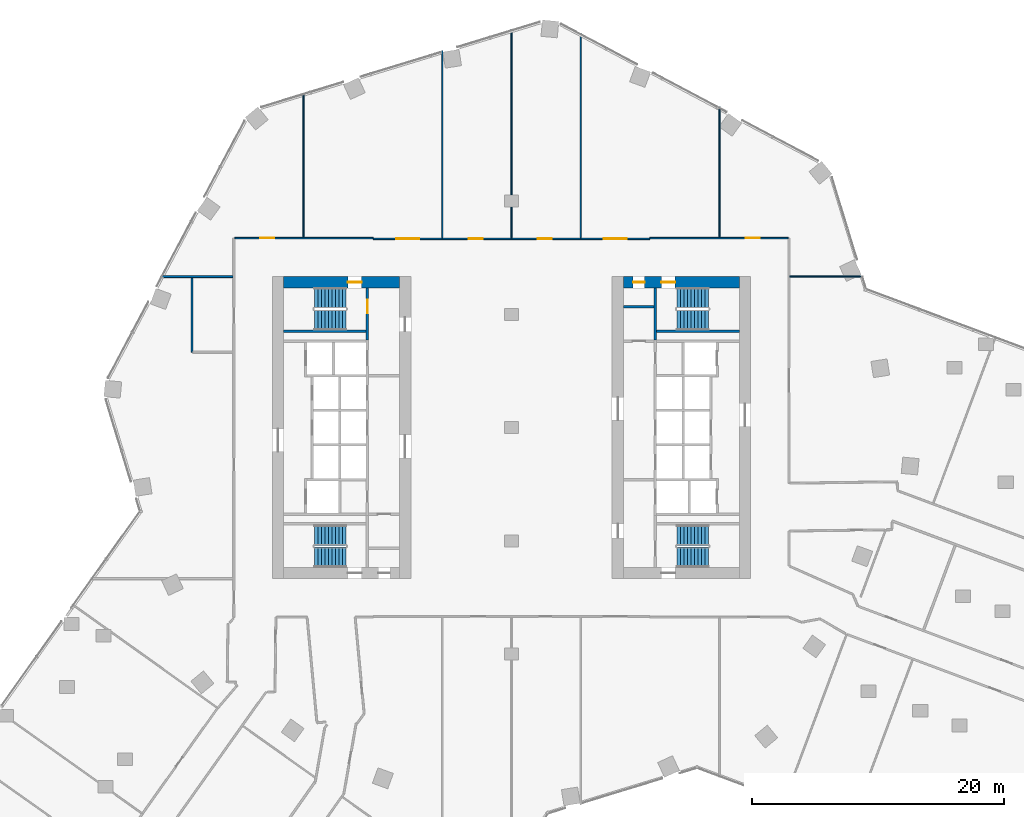
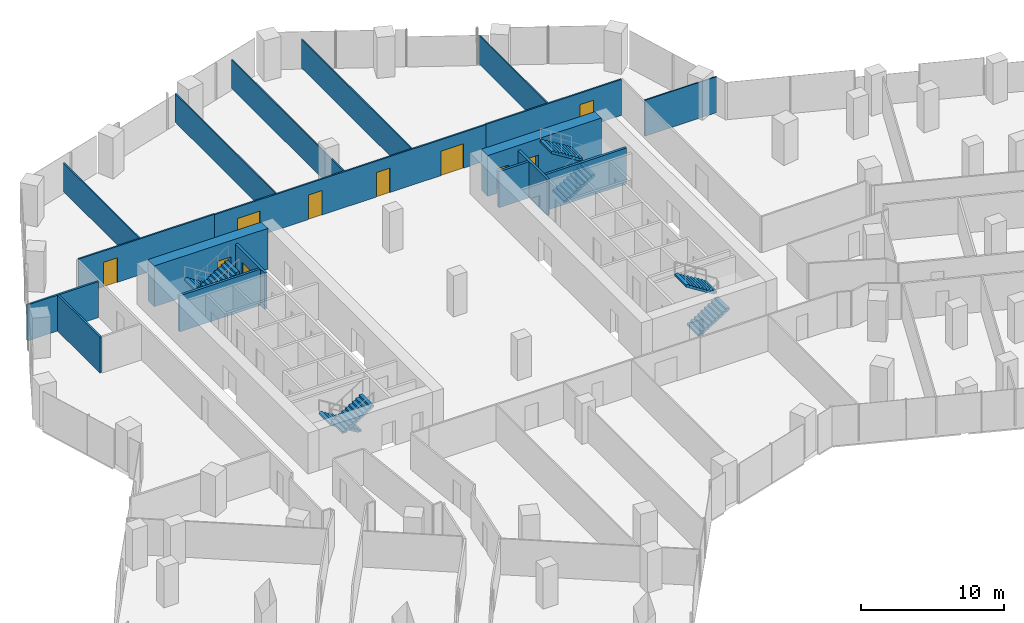
# One storey, part 28 of 31: 18 walls, 10 doors, 8 stair flights, 10 openings, 4 elements without a shape of their own.
"""IFC4 building model written with IfcOpenShell, lengths in metres."""

from ifc_helpers import new_model, si_unit, direction, frame, frame_2d, origin, place, context, subcontext, project, spatial, polyline, rectangle, outline, extrude, material, layer, layer_set, type_object, element, fill, aggregate, save


model = new_model("IFC4")

# Units and contexts
model_context = context("Model", 3, precision=1e-05, world=origin(), true_north=direction((0.0, 1.0)))
body_context = subcontext(model_context, "Body", "Model", "MODEL_VIEW")
ifc_project = project(units=[si_unit("LENGTHUNIT", "METRE"), si_unit("AREAUNIT", "SQUARE_METRE"), si_unit("VOLUMEUNIT", "CUBIC_METRE"), si_unit("PLANEANGLEUNIT", "RADIAN"), si_unit("MASSUNIT", "GRAM", prefix="KILO")], contexts=[model_context])

# Site, building, storey
site_placement = place(None, origin())
site = spatial("IfcSite", under=ifc_project, at=site_placement, CompositionType="ELEMENT")
building_placement = place(site_placement, origin())
building = spatial("IfcBuilding", under=site, at=building_placement, Name="Orlundy Tower", CompositionType="ELEMENT")
storey_placement = place(building_placement, frame((0.0, 0.0, 94.699951171875)))
storey = spatial("IfcBuildingStorey", under=building, at=storey_placement, Name="L23", CompositionType="ELEMENT", Elevation=94.699951171875)

# Wall, opening, door
ifc_material_1 = material(Name="Concrete C80/95", Category="concrete")
ifc_layer_1 = layer(ifc_material_1, 0.89990234375)
ifc_layer_set_1 = layer_set([ifc_layer_1], Name="CORE WALL 900 C80/95")
wall_type_1 = type_object("IfcWallType", Name="CORE WALL 900 C80/95", PredefinedType="SHEAR", material=ifc_layer_set_1)
wall_1_placement = place(storey_placement, frame((-18.10009765625, 11.550048828125, 0.0), z_axis=(0.0, 0.0, 1.0), x_axis=(1.0, 0.0, 0.0)))
wall_1 = element("IfcWall", 1, at=wall_1_placement, inside=storey, type_object=wall_type_1, Name="Core wall W-N L23", PredefinedType="SHEAR", context=body_context, shape_type="SweptSolid", body=[
    extrude(rectangle(XDim=9.2001953125, YDim=0.89990234375, at=frame_2d((4.60009765625, 0.0))), origin(), (0.0, 0.0, 1.0), 3.5),
])
opening_1_placement = place(wall_1_placement, frame((5.10009765625, 0.0, 0.0)))
opening_1 = element("IfcOpeningElement", 2, at=opening_1_placement, cuts=wall_1, Name="Opening 18012", PredefinedType="OPENING", context=body_context, shape_type="SweptSolid", body=[
    extrude(rectangle(XDim=1.10009765625, YDim=2.10009765625, at=frame_2d((0.550048828125, 1.050048828125))), frame((0.0, 0.4599609375, 0.0), z_axis=(0.0, -1.0, 0.0), x_axis=(1.0, 0.0, 0.0)), (0.0, 0.0, 1.0), 0.919921875),
])
ifc_material_2 = material(Name="Steel door set", Category="steel")
door_type_1 = type_object("IfcDoorType", Name="Stair Door 1100x2100", OperationType="SINGLE_SWING_LEFT", PredefinedType="DOOR", material=ifc_material_2)
door_1_placement = place(opening_1_placement, origin())
door_1 = element("IfcDoor", 3, at=door_1_placement, inside=storey, type_object=door_type_1, Name="Stair door 18012", OperationType="SINGLE_SWING_RIGHT", OverallHeight=2.10009765625, OverallWidth=1.10009765625, PredefinedType="DOOR", context=body_context, shape_type="SweptSolid", body=[
    extrude(rectangle(XDim=1.10009765625, YDim=2.10009765625, at=frame_2d((0.550048828125, 1.050048828125))), frame((0.0, 0.02490234375, 0.0), z_axis=(0.0, -1.0, 0.0), x_axis=(1.0, 0.0, 0.0)), (0.0, 0.0, 1.0), 0.050048828125),
])
fill(opening_1, door_1)

# Wall, openings, doors
wall_2_placement = place(storey_placement, frame((8.89990234375, 11.550048828125, 0.0), z_axis=(0.0, 0.0, 1.0), x_axis=(1.0, 0.0, 0.0)))
wall_2 = element("IfcWall", 4, at=wall_2_placement, inside=storey, type_object=wall_type_1, Name="Core wall E-N L23", PredefinedType="SHEAR", context=body_context, shape_type="SweptSolid", body=[
    extrude(rectangle(XDim=9.2001953125, YDim=0.89990234375, at=frame_2d((4.60009765625, 0.0))), origin(), (0.0, 0.0, 1.0), 3.5),
])
opening_2_placement = place(wall_2_placement, frame((3.0, 0.0, 0.0)))
opening_2 = element("IfcOpeningElement", 5, at=opening_2_placement, cuts=wall_2, Name="Opening 18062", PredefinedType="OPENING", context=body_context, shape_type="SweptSolid", body=[
    extrude(rectangle(XDim=1.10009765625, YDim=2.10009765625, at=frame_2d((0.550048828125, 1.050048828125))), frame((0.0, 0.4599609375, 0.0), z_axis=(0.0, -1.0, 0.0), x_axis=(1.0, 0.0, 0.0)), (0.0, 0.0, 1.0), 0.919921875),
])
opening_3_placement = place(wall_2_placement, frame((0.77001953125, 0.0, 0.0)))
opening_3 = element("IfcOpeningElement", 6, at=opening_3_placement, cuts=wall_2, Name="Opening 18064", PredefinedType="OPENING", context=body_context, shape_type="SweptSolid", body=[
    extrude(rectangle(XDim=0.89990234375, YDim=2.10009765625, at=frame_2d((0.449951171875, 1.050048828125))), frame((0.0, 0.4599609375, 0.0), z_axis=(0.0, -1.0, 0.0), x_axis=(1.0, 0.0, 0.0)), (0.0, 0.0, 1.0), 0.919921875),
])
ifc_material_3 = material(Name="Timber door set", Category="wood")
door_type_2 = type_object("IfcDoorType", Name="Room Door 900x2100", OperationType="SINGLE_SWING_LEFT", PredefinedType="DOOR", material=ifc_material_3)
door_2_placement = place(opening_3_placement, origin())
door_2 = element("IfcDoor", 7, at=door_2_placement, inside=storey, type_object=door_type_2, Name="Store door 18064", OperationType="SINGLE_SWING_LEFT", OverallHeight=2.10009765625, OverallWidth=0.89990234375, PredefinedType="DOOR", context=body_context, shape_type="SweptSolid", body=[
    extrude(rectangle(XDim=0.89990234375, YDim=2.10009765625, at=frame_2d((0.449951171875, 1.050048828125))), frame((0.0, 0.02490234375, 0.0), z_axis=(0.0, -1.0, 0.0), x_axis=(1.0, 0.0, 0.0)), (0.0, 0.0, 1.0), 0.050048828125),
])
fill(opening_3, door_2)
door_3_placement = place(opening_2_placement, origin())
door_3 = element("IfcDoor", 8, at=door_3_placement, inside=storey, type_object=door_type_1, Name="Stair door 18062", OperationType="SINGLE_SWING_LEFT", OverallHeight=2.10009765625, OverallWidth=1.10009765625, PredefinedType="DOOR", context=body_context, shape_type="SweptSolid", body=[
    extrude(rectangle(XDim=1.10009765625, YDim=2.10009765625, at=frame_2d((0.550048828125, 1.050048828125))), frame((0.0, 0.02490234375, 0.0), z_axis=(0.0, -1.0, 0.0), x_axis=(1.0, 0.0, 0.0)), (0.0, 0.0, 1.0), 0.050048828125),
])
fill(opening_2, door_3)

# Walls
ifc_material_4 = material(Name="Gypsum board partition")
ifc_layer_2 = layer(ifc_material_4, 0.10009765625)
ifc_layer_set_2 = layer_set([ifc_layer_2], Name="Floor partition 100")
wall_type_2 = type_object("IfcWallType", Name="Floor partition 100", PredefinedType="PARTITIONING", material=ifc_layer_set_2)
wall_3_placement = place(storey_placement, frame((22.113037109375, 12.0, 0.0), z_axis=(0.0, 0.0, 1.0), x_axis=(1.0, 0.0, 0.0)))
element("IfcWall", 9, at=wall_3_placement, inside=storey, type_object=wall_type_2, Name="wall-int-L23-038", PredefinedType="PARTITIONING", context=body_context, shape_type="SweptSolid", body=[
    extrude(rectangle(XDim=5.849853515625, YDim=0.10009765625, at=frame_2d((2.9248046875, 0.0))), origin(), (0.0, 0.0, 1.0), 3.080078125),
])
ifc_material_5 = material(Name="Gypsum board partition")
ifc_layer_3 = layer(ifc_material_5, 0.10009765625)
ifc_layer_set_3 = layer_set([ifc_layer_3], Name="Floor partition 100 B")
wall_type_3 = type_object("IfcWallType", Name="Floor partition 100 B", PredefinedType="PARTITIONING", material=ifc_layer_set_3)
wall_4_placement = place(storey_placement, frame((16.52099609375, 15.114013671875, 0.0), z_axis=(0.0, 0.0, 1.0), x_axis=(0.0, 1.0, 0.0)))
element("IfcWall", 10, at=wall_4_placement, inside=storey, type_object=wall_type_3, Name="wall-int-L23-078", PredefinedType="PARTITIONING", context=body_context, shape_type="SweptSolid", body=[
    extrude(rectangle(XDim=10.362060546875, YDim=0.10009765625, at=frame_2d((5.18115234375, 0.0))), origin(), (0.0, 0.0, 1.0), 2.445068359375),
])
wall_5_placement = place(storey_placement, frame((5.4951171875, 15.06298828125, 0.0), z_axis=(0.0, 0.0, 1.0), x_axis=(0.0, 1.0, 0.0)))
element("IfcWall", 11, at=wall_5_placement, inside=storey, type_object=wall_type_3, Name="wall-int-L23-080", PredefinedType="PARTITIONING", context=body_context, shape_type="SweptSolid", body=[
    extrude(rectangle(XDim=16.27490234375, YDim=0.10009765625, at=frame_2d((8.137451171875, 0.0))), origin(), (0.0, 0.0, 1.0), 2.445068359375),
])
wall_6_placement = place(storey_placement, frame((0.0, 15.06298828125, 0.0), z_axis=(0.0, 0.0, 1.0), x_axis=(0.0, 1.0, 0.0)))
element("IfcWall", 12, at=wall_6_placement, inside=storey, type_object=wall_type_3, Name="wall-int-L23-082", PredefinedType="PARTITIONING", context=body_context, shape_type="SweptSolid", body=[
    extrude(rectangle(XDim=16.569091796875, YDim=0.10009765625, at=frame_2d((8.28466796875, 0.0))), origin(), (0.0, 0.0, 1.0), 2.445068359375),
])
wall_7_placement = place(storey_placement, frame((-5.4951171875, 15.06298828125, 0.0), z_axis=(0.0, 0.0, 1.0), x_axis=(0.0, 1.0, 0.0)))
element("IfcWall", 13, at=wall_7_placement, inside=storey, type_object=wall_type_3, Name="wall-int-L23-084", PredefinedType="PARTITIONING", context=body_context, shape_type="SweptSolid", body=[
    extrude(rectangle(XDim=14.888916015625, YDim=0.10009765625, at=frame_2d((7.4443359375, 0.0))), origin(), (0.0, 0.0, 1.0), 2.445068359375),
])
wall_8_placement = place(storey_placement, frame((-16.52001953125, 15.114013671875, 0.0), z_axis=(0.0, 0.0, 1.0), x_axis=(0.0, 1.0, 0.0)))
element("IfcWall", 14, at=wall_8_placement, inside=storey, type_object=wall_type_3, Name="wall-int-L23-085", PredefinedType="PARTITIONING", context=body_context, shape_type="SweptSolid", body=[
    extrude(rectangle(XDim=11.468017578125, YDim=0.10009765625, at=frame_2d((5.73388671875, 0.0))), origin(), (0.0, 0.0, 1.0), 2.445068359375),
])

# Wall, openings, doors
ifc_material_6 = material(Name="Gypsum board partition, double layer")
ifc_layer_4 = layer(ifc_material_6, 0.125)
ifc_layer_set_4 = layer_set([ifc_layer_4], Name="Floor partition 125")
wall_type_4 = type_object("IfcWallType", Name="Floor partition 125", PredefinedType="PARTITIONING", material=ifc_layer_set_4)
wall_9_placement = place(storey_placement, frame((-10.989990234375, 15.0009765625, 0.0), z_axis=(0.0, 0.0, 1.0), x_axis=(1.0, 0.0, 0.0)))
wall_9 = element("IfcWall", 15, at=wall_9_placement, inside=storey, type_object=wall_type_4, Name="wall-int-L23-039", PredefinedType="PARTITIONING", context=body_context, shape_type="SweptSolid", body=[
    extrude(rectangle(XDim=21.97998046875, YDim=0.125, at=frame_2d((10.989990234375, 0.0))), origin(), (0.0, 0.0, 1.0), 3.080078125),
])
opening_4_placement = place(wall_9_placement, frame((18.3349609375, 0.0, 0.0)))
opening_4 = element("IfcOpeningElement", 16, at=opening_4_placement, cuts=wall_9, Name="Opening 18132", PredefinedType="OPENING", context=body_context, shape_type="SweptSolid", body=[
    extrude(rectangle(XDim=1.800048828125, YDim=2.10009765625, at=frame_2d((0.89990234375, 1.050048828125))), frame((0.0, 0.072509765625, 0.0), z_axis=(0.0, -1.0, 0.0), x_axis=(1.0, 0.0, 0.0)), (0.0, 0.0, 1.0), 0.14501953125),
])
opening_5_placement = place(wall_9_placement, frame((13.090087890625, 0.0, 0.0)))
opening_5 = element("IfcOpeningElement", 17, at=opening_5_placement, cuts=wall_9, Name="Opening 18133", PredefinedType="OPENING", context=body_context, shape_type="SweptSolid", body=[
    extrude(rectangle(XDim=1.10009765625, YDim=2.10009765625, at=frame_2d((0.550048828125, 1.050048828125))), frame((0.0, 0.072509765625, 0.0), z_axis=(0.0, -1.0, 0.0), x_axis=(1.0, 0.0, 0.0)), (0.0, 0.0, 1.0), 0.14501953125),
])
opening_6_placement = place(wall_9_placement, frame((7.594970703125, 0.0, 0.0)))
opening_6 = element("IfcOpeningElement", 18, at=opening_6_placement, cuts=wall_9, Name="Opening 18134", PredefinedType="OPENING", context=body_context, shape_type="SweptSolid", body=[
    extrude(rectangle(XDim=1.10009765625, YDim=2.10009765625, at=frame_2d((0.550048828125, 1.050048828125))), frame((0.0, 0.072509765625, 0.0), z_axis=(0.0, -1.0, 0.0), x_axis=(1.0, 0.0, 0.0)), (0.0, 0.0, 1.0), 0.14501953125),
])
opening_7_placement = place(wall_9_placement, frame((1.85009765625, 0.0, 0.0)))
opening_7 = element("IfcOpeningElement", 19, at=opening_7_placement, cuts=wall_9, Name="Opening 18135", PredefinedType="OPENING", context=body_context, shape_type="SweptSolid", body=[
    extrude(rectangle(XDim=1.800048828125, YDim=2.10009765625, at=frame_2d((0.89990234375, 1.050048828125))), frame((0.0, 0.072509765625, 0.0), z_axis=(0.0, -1.0, 0.0), x_axis=(1.0, 0.0, 0.0)), (0.0, 0.0, 1.0), 0.14501953125),
])
ifc_material_7 = material(Name="Timber door leaf", Category="wood")
door_type_3 = type_object("IfcDoorType", Name="Floor door double 1800 FD30S", OperationType="NOTDEFINED", PredefinedType="DOOR", material=ifc_material_7)
door_4_placement = place(opening_4_placement, origin())
door_4 = element("IfcDoor", 20, at=door_4_placement, inside=storey, type_object=door_type_3, Name="Door 18132", OperationType="DOUBLE_DOOR_SINGLE_SWING", OverallHeight=2.10009765625, OverallWidth=1.800048828125, PredefinedType="DOOR", context=body_context, shape_type="SweptSolid", body=[
    extrude(rectangle(XDim=1.800048828125, YDim=2.10009765625, at=frame_2d((0.89990234375, 1.050048828125))), frame((0.0, 0.02490234375, 0.0), z_axis=(0.0, -1.0, 0.0), x_axis=(1.0, 0.0, 0.0)), (0.0, 0.0, 1.0), 0.050048828125),
])
fill(opening_4, door_4)
door_5_placement = place(opening_7_placement, origin())
door_5 = element("IfcDoor", 21, at=door_5_placement, inside=storey, type_object=door_type_3, Name="Door 18135", OperationType="DOUBLE_DOOR_SINGLE_SWING", OverallHeight=2.10009765625, OverallWidth=1.800048828125, PredefinedType="DOOR", context=body_context, shape_type="SweptSolid", body=[
    extrude(rectangle(XDim=1.800048828125, YDim=2.10009765625, at=frame_2d((0.89990234375, 1.050048828125))), frame((0.0, 0.02490234375, 0.0), z_axis=(0.0, -1.0, 0.0), x_axis=(1.0, 0.0, 0.0)), (0.0, 0.0, 1.0), 0.050048828125),
])
fill(opening_7, door_5)
ifc_material_8 = material(Name="Timber door leaf", Category="wood")
door_type_4 = type_object("IfcDoorType", Name="Floor door xwide 1100 FD30S", OperationType="NOTDEFINED", PredefinedType="DOOR", material=ifc_material_8)
door_6_placement = place(opening_5_placement, origin())
door_6 = element("IfcDoor", 22, at=door_6_placement, inside=storey, type_object=door_type_4, Name="Door 18133", OperationType="SINGLE_SWING_RIGHT", OverallHeight=2.10009765625, OverallWidth=1.10009765625, PredefinedType="DOOR", context=body_context, shape_type="SweptSolid", body=[
    extrude(rectangle(XDim=1.10009765625, YDim=2.10009765625, at=frame_2d((0.550048828125, 1.050048828125))), frame((0.0, 0.02490234375, 0.0), z_axis=(0.0, -1.0, 0.0), x_axis=(1.0, 0.0, 0.0)), (0.0, 0.0, 1.0), 0.050048828125),
])
fill(opening_5, door_6)
door_7_placement = place(opening_6_placement, origin())
door_7 = element("IfcDoor", 23, at=door_7_placement, inside=storey, type_object=door_type_4, Name="Door 18134", OperationType="SINGLE_SWING_LEFT", OverallHeight=2.10009765625, OverallWidth=1.10009765625, PredefinedType="DOOR", context=body_context, shape_type="SweptSolid", body=[
    extrude(rectangle(XDim=1.10009765625, YDim=2.10009765625, at=frame_2d((0.550048828125, 1.050048828125))), frame((0.0, 0.02490234375, 0.0), z_axis=(0.0, -1.0, 0.0), x_axis=(1.0, 0.0, 0.0)), (0.0, 0.0, 1.0), 0.050048828125),
])
fill(opening_6, door_7)

# Wall, opening, door
wall_10_placement = place(storey_placement, frame((-21.97509765625, 15.051025390625, 0.0), z_axis=(0.0, 0.0, 1.0), x_axis=(1.0, 0.0, 0.0)))
wall_10 = element("IfcWall", 24, at=wall_10_placement, inside=storey, type_object=wall_type_4, Name="wall-int-L23-040", PredefinedType="PARTITIONING", context=body_context, shape_type="SweptSolid", body=[
    extrude(rectangle(XDim=10.984130859375, YDim=0.125, at=frame_2d((5.4921875, 0.0))), origin(), (0.0, 0.0, 1.0), 3.080078125),
])
opening_8_placement = place(wall_10_placement, frame((2.02490234375, 0.0, 0.0)))
opening_8 = element("IfcOpeningElement", 25, at=opening_8_placement, cuts=wall_10, Name="Opening 18136", PredefinedType="OPENING", context=body_context, shape_type="SweptSolid", body=[
    extrude(rectangle(XDim=1.10009765625, YDim=2.10009765625, at=frame_2d((0.550048828125, 1.050048828125))), frame((0.0, 0.072509765625, 0.0), z_axis=(0.0, -1.0, 0.0), x_axis=(1.0, 0.0, 0.0)), (0.0, 0.0, 1.0), 0.14501953125),
])
door_8_placement = place(opening_8_placement, origin())
door_8 = element("IfcDoor", 26, at=door_8_placement, inside=storey, type_object=door_type_4, Name="Door 18136", OperationType="SINGLE_SWING_LEFT", OverallHeight=2.10009765625, OverallWidth=1.10009765625, PredefinedType="DOOR", context=body_context, shape_type="SweptSolid", body=[
    extrude(rectangle(XDim=1.10009765625, YDim=2.10009765625, at=frame_2d((0.550048828125, 1.050048828125))), frame((0.0, 0.02490234375, 0.0), z_axis=(0.0, -1.0, 0.0), x_axis=(1.0, 0.0, 0.0)), (0.0, 0.0, 1.0), 0.050048828125),
])
fill(opening_8, door_8)

wall_11_placement = place(storey_placement, frame((10.990966796875, 15.051025390625, 0.0), z_axis=(0.0, 0.0, 1.0), x_axis=(1.0, 0.0, 0.0)))
wall_11 = element("IfcWall", 27, at=wall_11_placement, inside=storey, type_object=wall_type_4, Name="wall-int-L23-041", PredefinedType="PARTITIONING", context=body_context, shape_type="SweptSolid", body=[
    extrude(rectangle(XDim=10.9970703125, YDim=0.125, at=frame_2d((5.49853515625, 0.0))), origin(), (0.0, 0.0, 1.0), 3.080078125),
])
opening_9_placement = place(wall_11_placement, frame((7.6298828125, 0.0, 0.0)))
opening_9 = element("IfcOpeningElement", 28, at=opening_9_placement, cuts=wall_11, Name="Opening 18131", PredefinedType="OPENING", context=body_context, shape_type="SweptSolid", body=[
    extrude(rectangle(XDim=1.10009765625, YDim=2.10009765625, at=frame_2d((0.550048828125, 1.050048828125))), frame((0.0, 0.072509765625, 0.0), z_axis=(0.0, -1.0, 0.0), x_axis=(1.0, 0.0, 0.0)), (0.0, 0.0, 1.0), 0.14501953125),
])
door_9_placement = place(opening_9_placement, origin())
door_9 = element("IfcDoor", 29, at=door_9_placement, inside=storey, type_object=door_type_4, Name="Door 18131", OperationType="SINGLE_SWING_RIGHT", OverallHeight=2.10009765625, OverallWidth=1.10009765625, PredefinedType="DOOR", context=body_context, shape_type="SweptSolid", body=[
    extrude(rectangle(XDim=1.10009765625, YDim=2.10009765625, at=frame_2d((0.550048828125, 1.050048828125))), frame((0.0, 0.02490234375, 0.0), z_axis=(0.0, -1.0, 0.0), x_axis=(1.0, 0.0, 0.0)), (0.0, 0.0, 1.0), 0.050048828125),
])
fill(opening_9, door_9)

# Walls
ifc_material_9 = material(Name="Blockwork shaft wall", Category="masonry")
ifc_layer_5 = layer(ifc_material_9, 0.14990234375)
ifc_layer_set_5 = layer_set([ifc_layer_5], Name="Floor shaft wall 150")
wall_type_5 = type_object("IfcWallType", Name="Floor shaft wall 150", PredefinedType="PARTITIONING", material=ifc_layer_set_5)
wall_12_placement = place(storey_placement, frame((-27.87890625, 12.0, 0.0), z_axis=(0.0, 0.0, 1.0), x_axis=(1.0, 0.0, 0.0)))
element("IfcWall", 30, at=wall_12_placement, inside=storey, type_object=wall_type_5, Name="wall-int-L23-037", PredefinedType="PARTITIONING", context=body_context, shape_type="SweptSolid", body=[
    extrude(rectangle(XDim=5.75390625, YDim=0.14990234375, at=frame_2d((2.876953125, 0.0))), origin(), (0.0, 0.0, 1.0), 3.080078125),
])
wall_13_placement = place(storey_placement, frame((-25.382080078125, 6.0009765625, 0.0), z_axis=(0.0, 0.0, 1.0), x_axis=(0.0, 1.0, 0.0)))
element("IfcWall", 31, at=wall_13_placement, inside=storey, type_object=wall_type_5, Name="wall-int-L23-087", PredefinedType="PARTITIONING", context=body_context, shape_type="SweptSolid", body=[
    extrude(rectangle(XDim=5.924072265625, YDim=0.14990234375, at=frame_2d((2.9619140625, 0.0))), origin(), (0.0, 0.0, 1.0), 3.080078125),
])

# Wall, opening, door
ifc_material_10 = material(Name="Concrete C40/50", Category="concrete")
ifc_layer_6 = layer(ifc_material_10, 0.199951171875)
ifc_layer_set_6 = layer_set([ifc_layer_6], Name="Load-bearing Shaft Wall 200")
wall_type_6 = type_object("IfcWallType", Name="Load-bearing Shaft Wall 200", PredefinedType="SOLIDWALL", material=ifc_layer_set_6)
wall_14_placement = place(storey_placement, frame((-11.43994140625, 6.97509765625, 0.0), z_axis=(0.0, 0.0, 1.0), x_axis=(0.0, 1.0, 0.0)))
wall_14 = element("IfcWall", 32, at=wall_14_placement, inside=storey, type_object=wall_type_6, Name="Shaft wall W18-stair-end-n", PredefinedType="SOLIDWALL", context=body_context, shape_type="SweptSolid", body=[
    extrude(rectangle(XDim=4.125, YDim=0.199951171875, at=frame_2d((2.0625, 0.0))), origin(), (0.0, 0.0, 1.0), 3.090087890625),
])
opening_10_placement = place(wall_14_placement, frame((2.10009765625, 0.0, 0.0)))
opening_10 = element("IfcOpeningElement", 33, at=opening_10_placement, cuts=wall_14, Name="Opening 18014", PredefinedType="OPENING", context=body_context, shape_type="SweptSolid", body=[
    extrude(rectangle(XDim=1.10009765625, YDim=2.10009765625, at=frame_2d((0.550048828125, 1.050048828125))), frame((0.0, 0.110107421875, 0.0), z_axis=(0.0, -1.0, 0.0), x_axis=(1.0, 0.0, 0.0)), (0.0, 0.0, 1.0), 0.22021484375),
])
ifc_material_11 = material(Name="Steel door set", Category="steel")
door_type_5 = type_object("IfcDoorType", Name="Fire-fighting Lobby Door 1100x2100", OperationType="SINGLE_SWING_LEFT", PredefinedType="DOOR", material=ifc_material_11)
door_10_placement = place(opening_10_placement, origin())
door_10 = element("IfcDoor", 34, at=door_10_placement, inside=storey, type_object=door_type_5, Name="Fire-fighting lobby to stair door 18014", OperationType="SINGLE_SWING_RIGHT", OverallHeight=2.10009765625, OverallWidth=1.10009765625, PredefinedType="DOOR", context=body_context, shape_type="SweptSolid", body=[
    extrude(rectangle(XDim=1.10009765625, YDim=2.10009765625, at=frame_2d((0.550048828125, 1.050048828125))), frame((0.0, 0.02490234375, 0.0), z_axis=(0.0, -1.0, 0.0), x_axis=(1.0, 0.0, 0.0)), (0.0, 0.0, 1.0), 0.050048828125),
])
fill(opening_10, door_10)

# Walls
wall_15_placement = place(storey_placement, frame((-11.5400390625, 7.64990234375, 0.0), z_axis=(0.0, 0.0, 1.0), x_axis=(-1.0, 0.0, 0.0)))
element("IfcWall", 35, at=wall_15_placement, inside=storey, type_object=wall_type_6, Name="Shaft wall W18-stair-side-n", PredefinedType="SOLIDWALL", context=body_context, shape_type="SweptSolid", body=[
    extrude(rectangle(XDim=6.56005859375, YDim=0.199951171875, at=frame_2d((3.280029296875, 0.0))), origin(), (0.0, 0.0, 1.0), 3.090087890625),
])
wall_16_placement = place(storey_placement, frame((11.43994140625, 11.10009765625, 0.0), z_axis=(0.0, 0.0, 1.0), x_axis=(0.0, -1.0, 0.0)))
element("IfcWall", 36, at=wall_16_placement, inside=storey, type_object=wall_type_6, Name="Shaft wall E18-stair-end-s", PredefinedType="SOLIDWALL", context=body_context, shape_type="SweptSolid", body=[
    extrude(rectangle(XDim=4.125, YDim=0.199951171875, at=frame_2d((2.0625, 0.0))), origin(), (0.0, 0.0, 1.0), 3.090087890625),
])
wall_17_placement = place(storey_placement, frame((11.5400390625, 7.64990234375, 0.0), z_axis=(0.0, 0.0, 1.0), x_axis=(1.0, 0.0, 0.0)))
element("IfcWall", 37, at=wall_17_placement, inside=storey, type_object=wall_type_6, Name="Shaft wall E18-stair-side-s", PredefinedType="SOLIDWALL", context=body_context, shape_type="SweptSolid", body=[
    extrude(rectangle(XDim=6.56005859375, YDim=0.199951171875, at=frame_2d((3.280029296875, 0.0))), origin(), (0.0, 0.0, 1.0), 3.090087890625),
])
ifc_material_12 = material(Name="Gypsum board partition on steel studs", Category="steel")
ifc_layer_7 = layer(ifc_material_12, 0.199951171875)
ifc_layer_set_7 = layer_set([ifc_layer_7], Name="Partition 200")
wall_type_7 = type_object("IfcWallType", Name="Partition 200", PredefinedType="PARTITIONING", material=ifc_layer_set_7)
wall_18_placement = place(storey_placement, frame((8.89990234375, 9.60009765625, 0.0), z_axis=(0.0, 0.0, 1.0), x_axis=(1.0, 0.0, 0.0)))
element("IfcWall", 38, at=wall_18_placement, inside=storey, type_object=wall_type_7, Name="Partition wall E18-room-s0", PredefinedType="PARTITIONING", context=body_context, shape_type="SweptSolid", body=[
    extrude(rectangle(XDim=2.440185546875, YDim=0.199951171875, at=frame_2d((1.22021484375, 0.0))), origin(), (0.0, 0.0, 1.0), 3.090087890625),
])

# Stair, stair flights
ifc_material_13 = material(Name="Concrete C50/60", Category="concrete")
stair_type = type_object("IfcStairType", Name="Exit Stair 20 risers", PredefinedType="HALF_TURN_STAIR", material=ifc_material_13)
stair_1_placement = place(storey_placement, origin())
stair_1 = element("IfcStair", 39, at=stair_1_placement, inside=storey, type_object=stair_type, Name="L23 Exit Stair ST-W1", PredefinedType="HALF_TURN_STAIR")
ifc_material_14 = material(Name="Concrete C50/60", Category="concrete")
stair_flight_type = type_object("IfcStairFlightType", Name="Stair Flight 10 risers", PredefinedType="STRAIGHT", material=ifc_material_14)
stair_flight_1_placement = place(storey_placement, frame((-13.139892578125, 10.300048828125, 0.0), z_axis=(0.0, 0.0, 1.0), x_axis=(-1.0, 0.0, 0.0)))
stair_flight_1 = element("IfcStairFlight", 40, at=stair_flight_1_placement, type_object=stair_flight_type, Name="ST-W1 flight 1", NumberOfRisers=10, NumberOfTreads=9, PredefinedType="STRAIGHT", RiserHeight=0.175, TreadLength=0.28, context=body_context, shape_type="SweptSolid", body=[
    extrude(outline(polyline([(0.0, 0.0), (0.0, 0.175048828125), (0.280029296875, 0.175048828125), (0.280029296875, 0.35009765625), (0.56005859375, 0.35009765625), (0.56005859375, 0.52490234375), (0.840087890625, 0.52490234375), (0.840087890625, 0.699951171875), (1.1201171875, 0.699951171875), (1.1201171875, 0.875), (1.39990234375, 0.875), (1.39990234375, 1.050048828125), (1.679931640625, 1.050048828125), (1.679931640625, 1.22509765625), (1.9599609375, 1.22509765625), (1.9599609375, 1.39990234375), (2.239990234375, 1.39990234375), (2.239990234375, 1.574951171875), (2.52001953125, 1.574951171875), (2.52001953125, 1.75), (2.52001953125, 1.398193359375), (0.28271484375, 0.0), (0.0, 0.0)])), frame((0.0, 0.800048828125, 0.0), z_axis=(0.0, -1.0, 0.0), x_axis=(1.0, 0.0, 0.0)), (0.0, 0.0, 1.0), 1.60009765625),
])
stair_flight_2_placement = place(storey_placement, frame((-15.659912109375, 8.550048828125, 1.75), z_axis=(0.0, 0.0, 1.0), x_axis=(1.0, 0.0, 0.0)))
stair_flight_2 = element("IfcStairFlight", 41, at=stair_flight_2_placement, type_object=stair_flight_type, Name="ST-W1 flight 2", NumberOfRisers=10, NumberOfTreads=9, PredefinedType="STRAIGHT", RiserHeight=0.175, TreadLength=0.28, context=body_context, shape_type="SweptSolid", body=[
    extrude(outline(polyline([(0.0, 0.0), (0.0, 0.175048828125), (0.280029296875, 0.175048828125), (0.280029296875, 0.35009765625), (0.56005859375, 0.35009765625), (0.56005859375, 0.52490234375), (0.840087890625, 0.52490234375), (0.840087890625, 0.699951171875), (1.1201171875, 0.699951171875), (1.1201171875, 0.875), (1.39990234375, 0.875), (1.39990234375, 1.050048828125), (1.679931640625, 1.050048828125), (1.679931640625, 1.22509765625), (1.9599609375, 1.22509765625), (1.9599609375, 1.39990234375), (2.239990234375, 1.39990234375), (2.239990234375, 1.574951171875), (2.52001953125, 1.574951171875), (2.52001953125, 1.75), (2.52001953125, 1.398193359375), (0.28271484375, 0.0), (0.0, 0.0)])), frame((0.0, 0.800048828125, 0.0), z_axis=(0.0, -1.0, 0.0), x_axis=(1.0, 0.0, 0.0)), (0.0, 0.0, 1.0), 1.60009765625),
])
aggregate(stair_1, [stair_flight_1, stair_flight_2])

stair_2_placement = place(storey_placement, origin())
stair_2 = element("IfcStair", 42, at=stair_2_placement, inside=storey, type_object=stair_type, Name="L23 Exit Stair ST-W2", PredefinedType="HALF_TURN_STAIR")
stair_flight_3_placement = place(storey_placement, frame((-13.139892578125, -8.550048828125, 0.0), z_axis=(0.0, 0.0, 1.0), x_axis=(-1.0, 0.0, 0.0)))
stair_flight_3 = element("IfcStairFlight", 43, at=stair_flight_3_placement, type_object=stair_flight_type, Name="ST-W2 flight 1", NumberOfRisers=10, NumberOfTreads=9, PredefinedType="STRAIGHT", RiserHeight=0.175, TreadLength=0.28, context=body_context, shape_type="SweptSolid", body=[
    extrude(outline(polyline([(0.0, 0.0), (0.0, 0.175048828125), (0.280029296875, 0.175048828125), (0.280029296875, 0.35009765625), (0.56005859375, 0.35009765625), (0.56005859375, 0.52490234375), (0.840087890625, 0.52490234375), (0.840087890625, 0.699951171875), (1.1201171875, 0.699951171875), (1.1201171875, 0.875), (1.39990234375, 0.875), (1.39990234375, 1.050048828125), (1.679931640625, 1.050048828125), (1.679931640625, 1.22509765625), (1.9599609375, 1.22509765625), (1.9599609375, 1.39990234375), (2.239990234375, 1.39990234375), (2.239990234375, 1.574951171875), (2.52001953125, 1.574951171875), (2.52001953125, 1.75), (2.52001953125, 1.398193359375), (0.28271484375, 0.0), (0.0, 0.0)])), frame((0.0, 0.800048828125, 0.0), z_axis=(0.0, -1.0, 0.0), x_axis=(1.0, 0.0, 0.0)), (0.0, 0.0, 1.0), 1.60009765625),
])
stair_flight_4_placement = place(storey_placement, frame((-15.659912109375, -10.300048828125, 1.75), z_axis=(0.0, 0.0, 1.0), x_axis=(1.0, 0.0, 0.0)))
stair_flight_4 = element("IfcStairFlight", 44, at=stair_flight_4_placement, type_object=stair_flight_type, Name="ST-W2 flight 2", NumberOfRisers=10, NumberOfTreads=9, PredefinedType="STRAIGHT", RiserHeight=0.175, TreadLength=0.28, context=body_context, shape_type="SweptSolid", body=[
    extrude(outline(polyline([(0.0, 0.0), (0.0, 0.175048828125), (0.280029296875, 0.175048828125), (0.280029296875, 0.35009765625), (0.56005859375, 0.35009765625), (0.56005859375, 0.52490234375), (0.840087890625, 0.52490234375), (0.840087890625, 0.699951171875), (1.1201171875, 0.699951171875), (1.1201171875, 0.875), (1.39990234375, 0.875), (1.39990234375, 1.050048828125), (1.679931640625, 1.050048828125), (1.679931640625, 1.22509765625), (1.9599609375, 1.22509765625), (1.9599609375, 1.39990234375), (2.239990234375, 1.39990234375), (2.239990234375, 1.574951171875), (2.52001953125, 1.574951171875), (2.52001953125, 1.75), (2.52001953125, 1.398193359375), (0.28271484375, 0.0), (0.0, 0.0)])), frame((0.0, 0.800048828125, 0.0), z_axis=(0.0, -1.0, 0.0), x_axis=(1.0, 0.0, 0.0)), (0.0, 0.0, 1.0), 1.60009765625),
])
aggregate(stair_2, [stair_flight_3, stair_flight_4])

stair_3_placement = place(storey_placement, origin())
stair_3 = element("IfcStair", 45, at=stair_3_placement, inside=storey, type_object=stair_type, Name="L23 Exit Stair ST-E1", PredefinedType="HALF_TURN_STAIR")
stair_flight_5_placement = place(storey_placement, frame((13.139892578125, -10.300048828125, 0.0), z_axis=(0.0, 0.0, 1.0), x_axis=(1.0, 0.0, 0.0)))
stair_flight_5 = element("IfcStairFlight", 46, at=stair_flight_5_placement, type_object=stair_flight_type, Name="ST-E1 flight 1", NumberOfRisers=10, NumberOfTreads=9, PredefinedType="STRAIGHT", RiserHeight=0.175, TreadLength=0.28, context=body_context, shape_type="SweptSolid", body=[
    extrude(outline(polyline([(0.0, 0.0), (0.0, 0.175048828125), (0.280029296875, 0.175048828125), (0.280029296875, 0.35009765625), (0.56005859375, 0.35009765625), (0.56005859375, 0.52490234375), (0.840087890625, 0.52490234375), (0.840087890625, 0.699951171875), (1.1201171875, 0.699951171875), (1.1201171875, 0.875), (1.39990234375, 0.875), (1.39990234375, 1.050048828125), (1.679931640625, 1.050048828125), (1.679931640625, 1.22509765625), (1.9599609375, 1.22509765625), (1.9599609375, 1.39990234375), (2.239990234375, 1.39990234375), (2.239990234375, 1.574951171875), (2.52001953125, 1.574951171875), (2.52001953125, 1.75), (2.52001953125, 1.398193359375), (0.28271484375, 0.0), (0.0, 0.0)])), frame((0.0, 0.800048828125, 0.0), z_axis=(0.0, -1.0, 0.0), x_axis=(1.0, 0.0, 0.0)), (0.0, 0.0, 1.0), 1.60009765625),
])
stair_flight_6_placement = place(storey_placement, frame((15.659912109375, -8.550048828125, 1.75), z_axis=(0.0, 0.0, 1.0), x_axis=(-1.0, 0.0, 0.0)))
stair_flight_6 = element("IfcStairFlight", 47, at=stair_flight_6_placement, type_object=stair_flight_type, Name="ST-E1 flight 2", NumberOfRisers=10, NumberOfTreads=9, PredefinedType="STRAIGHT", RiserHeight=0.175, TreadLength=0.28, context=body_context, shape_type="SweptSolid", body=[
    extrude(outline(polyline([(0.0, 0.0), (0.0, 0.175048828125), (0.280029296875, 0.175048828125), (0.280029296875, 0.35009765625), (0.56005859375, 0.35009765625), (0.56005859375, 0.52490234375), (0.840087890625, 0.52490234375), (0.840087890625, 0.699951171875), (1.1201171875, 0.699951171875), (1.1201171875, 0.875), (1.39990234375, 0.875), (1.39990234375, 1.050048828125), (1.679931640625, 1.050048828125), (1.679931640625, 1.22509765625), (1.9599609375, 1.22509765625), (1.9599609375, 1.39990234375), (2.239990234375, 1.39990234375), (2.239990234375, 1.574951171875), (2.52001953125, 1.574951171875), (2.52001953125, 1.75), (2.52001953125, 1.398193359375), (0.28271484375, 0.0), (0.0, 0.0)])), frame((0.0, 0.800048828125, 0.0), z_axis=(0.0, -1.0, 0.0), x_axis=(1.0, 0.0, 0.0)), (0.0, 0.0, 1.0), 1.60009765625),
])
aggregate(stair_3, [stair_flight_5, stair_flight_6])

stair_4_placement = place(storey_placement, origin())
stair_4 = element("IfcStair", 48, at=stair_4_placement, inside=storey, type_object=stair_type, Name="L23 Exit Stair ST-E2", PredefinedType="HALF_TURN_STAIR")
stair_flight_7_placement = place(storey_placement, frame((13.139892578125, 8.550048828125, 0.0), z_axis=(0.0, 0.0, 1.0), x_axis=(1.0, 0.0, 0.0)))
stair_flight_7 = element("IfcStairFlight", 49, at=stair_flight_7_placement, type_object=stair_flight_type, Name="ST-E2 flight 1", NumberOfRisers=10, NumberOfTreads=9, PredefinedType="STRAIGHT", RiserHeight=0.175, TreadLength=0.28, context=body_context, shape_type="SweptSolid", body=[
    extrude(outline(polyline([(0.0, 0.0), (0.0, 0.175048828125), (0.280029296875, 0.175048828125), (0.280029296875, 0.35009765625), (0.56005859375, 0.35009765625), (0.56005859375, 0.52490234375), (0.840087890625, 0.52490234375), (0.840087890625, 0.699951171875), (1.1201171875, 0.699951171875), (1.1201171875, 0.875), (1.39990234375, 0.875), (1.39990234375, 1.050048828125), (1.679931640625, 1.050048828125), (1.679931640625, 1.22509765625), (1.9599609375, 1.22509765625), (1.9599609375, 1.39990234375), (2.239990234375, 1.39990234375), (2.239990234375, 1.574951171875), (2.52001953125, 1.574951171875), (2.52001953125, 1.75), (2.52001953125, 1.398193359375), (0.28271484375, 0.0), (0.0, 0.0)])), frame((0.0, 0.800048828125, 0.0), z_axis=(0.0, -1.0, 0.0), x_axis=(1.0, 0.0, 0.0)), (0.0, 0.0, 1.0), 1.60009765625),
])
stair_flight_8_placement = place(storey_placement, frame((15.659912109375, 10.300048828125, 1.75), z_axis=(0.0, 0.0, 1.0), x_axis=(-1.0, 0.0, 0.0)))
stair_flight_8 = element("IfcStairFlight", 50, at=stair_flight_8_placement, type_object=stair_flight_type, Name="ST-E2 flight 2", NumberOfRisers=10, NumberOfTreads=9, PredefinedType="STRAIGHT", RiserHeight=0.175, TreadLength=0.28, context=body_context, shape_type="SweptSolid", body=[
    extrude(outline(polyline([(0.0, 0.0), (0.0, 0.175048828125), (0.280029296875, 0.175048828125), (0.280029296875, 0.35009765625), (0.56005859375, 0.35009765625), (0.56005859375, 0.52490234375), (0.840087890625, 0.52490234375), (0.840087890625, 0.699951171875), (1.1201171875, 0.699951171875), (1.1201171875, 0.875), (1.39990234375, 0.875), (1.39990234375, 1.050048828125), (1.679931640625, 1.050048828125), (1.679931640625, 1.22509765625), (1.9599609375, 1.22509765625), (1.9599609375, 1.39990234375), (2.239990234375, 1.39990234375), (2.239990234375, 1.574951171875), (2.52001953125, 1.574951171875), (2.52001953125, 1.75), (2.52001953125, 1.398193359375), (0.28271484375, 0.0), (0.0, 0.0)])), frame((0.0, 0.800048828125, 0.0), z_axis=(0.0, -1.0, 0.0), x_axis=(1.0, 0.0, 0.0)), (0.0, 0.0, 1.0), 1.60009765625),
])
aggregate(stair_4, [stair_flight_7, stair_flight_8])

save(model, "model.ifc")
